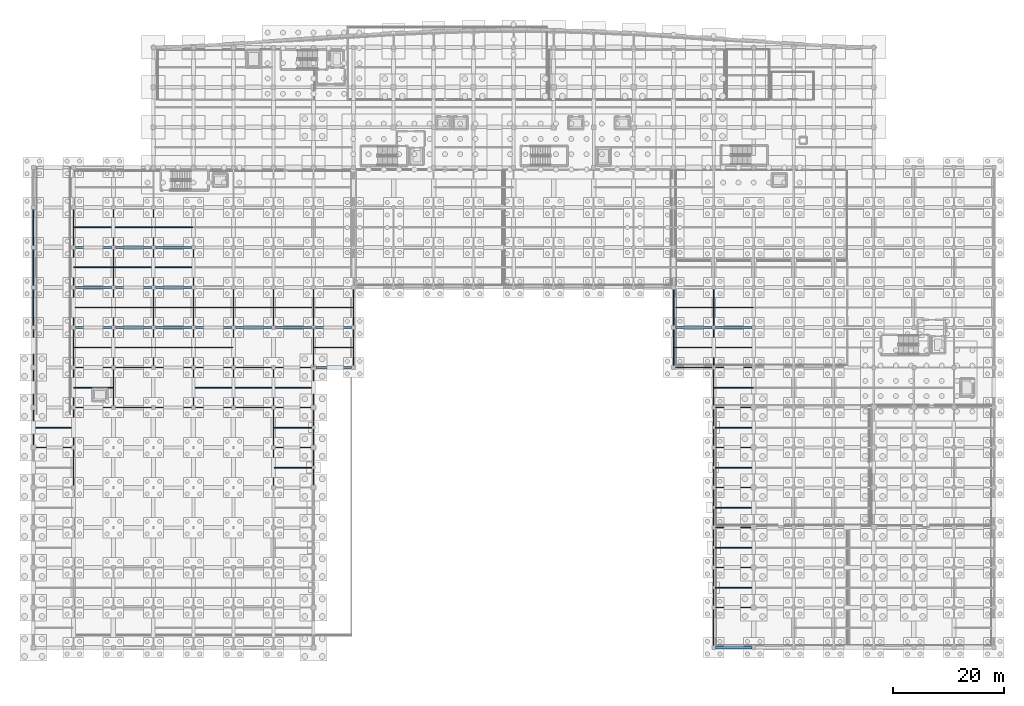
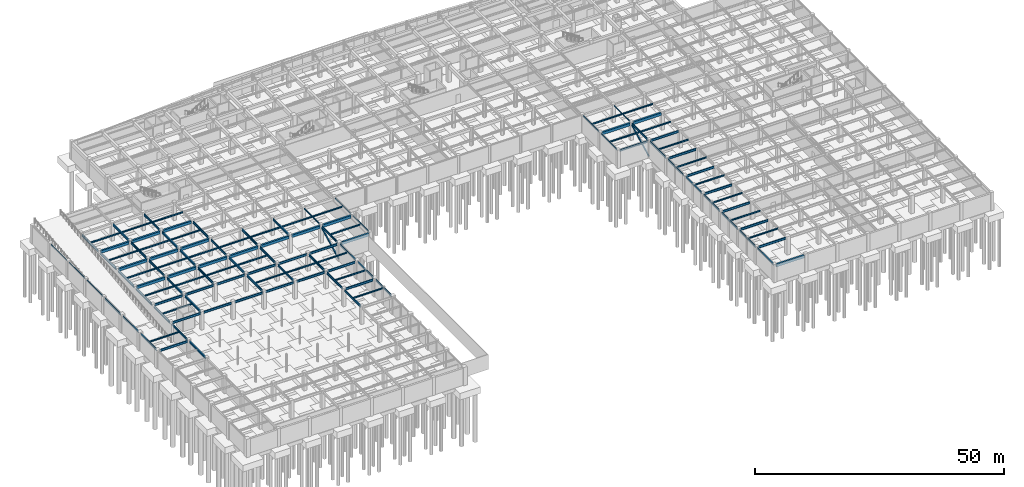
# One storey, part 25 of 48: 125 beams, 2 members.
"""IFC4 building model written with IfcOpenShell, lengths in metres."""

from ifc_helpers import new_model, si_unit, direction, frame, origin, origin_2d, place, context, subcontext, project, spatial, rectangle, hollow_rectangle, i_section, extrude, material, material_profile, profile_set, type_object, element, save


model = new_model("IFC4")

# Units and contexts
model_context = context("Model", 3, precision=1e-05, world=origin(), true_north=direction((0.0, 1.0)))
body_context = subcontext(model_context, "Body", "Model", "MODEL_VIEW")
ifc_project = project(units=[si_unit("LENGTHUNIT", "METRE"), si_unit("AREAUNIT", "SQUARE_METRE"), si_unit("VOLUMEUNIT", "CUBIC_METRE"), si_unit("PLANEANGLEUNIT", "RADIAN"), si_unit("MASSUNIT", "GRAM", prefix="KILO")], contexts=[model_context])

# Site, building, storey
site_placement = place(None, origin())
site = spatial("IfcSite", under=ifc_project, at=site_placement, CompositionType="ELEMENT")
building_placement = place(site_placement, origin())
building = spatial("IfcBuilding", under=site, at=building_placement, Name="Carrowvane Square Congress Hotel", CompositionType="ELEMENT")
storey_placement = place(building_placement, frame((0.0, 0.0, -4.5)))
storey = spatial("IfcBuildingStorey", under=building, at=storey_placement, Name="B01", CompositionType="ELEMENT", Elevation=-4.5)

# Beams
ifc_material_1 = material(Name="Concrete C35/45", Category="concrete")
ifc_material_profile_1 = material_profile(ifc_material_1, rectangle(XDim=0.39990234375, YDim=0.64990234375, at=origin_2d()), Name="RC 400x650")
ifc_profile_set_1 = profile_set([ifc_material_profile_1], Name="Concrete C35/45")
beam_type_1 = type_object("IfcBeamType", Name="BM-RC-400x650", PredefinedType="BEAM", material=ifc_profile_set_1)
for number, where, z_axis, x_axis, name in (
    (1, (19.14990234375, 63.0, 3.875), (1.0, 0.0, 0.0), (0.0, 1.0, 0.0), "L00 girder J/2-3"),
    (2, (26.35009765625, 63.0, 3.875), (1.0, 0.0, 0.0), (0.0, 1.0, 0.0), "L00 girder J/3-4"),
    (3, (33.550048828125, 63.0, 3.875), (1.0, 0.0, 0.0), (0.0, 1.0, 0.0), "L00 girder J/4-5"),
    (4, (40.75, 63.0, 3.875), (1.0, 0.0, 0.0), (0.0, 1.0, 0.0), "L00 girder J/5-6"),
    (5, (47.949951171875, 63.0, 3.875), (1.0, 0.0, 0.0), (0.0, 1.0, 0.0), "L00 girder J/6-7"),
    (6, (55.14990234375, 63.0, 3.875), (1.0, 0.0, 0.0), (0.0, 1.0, 0.0), "L00 girder J/7-8"),
    (7, (62.35009765625, 63.0, 3.875), (1.0, 0.0, 0.0), (0.0, 1.0, 0.0), "L00 girder J/8-9"),
    (8, (127.14990234375, 63.0, 3.875), (1.0, 0.0, 0.0), (0.0, 1.0, 0.0), "L00 girder J/17-18"),
    (9, (134.35009765625, 63.0, 3.875), (1.0, 0.0, 0.0), (0.0, 1.0, 0.0), "L00 girder J/18-19"),
    (10, (19.14990234375, 70.199951171875, 3.875), (1.0, 0.0, 0.0), (0.0, 1.0, 0.0), "L00 girder K/2-3"),
    (11, (26.35009765625, 70.199951171875, 3.875), (1.0, 0.0, 0.0), (0.0, 1.0, 0.0), "L00 girder K/3-4"),
    (12, (33.550048828125, 70.199951171875, 3.875), (1.0, 0.0, 0.0), (0.0, 1.0, 0.0), "L00 girder K/4-5"),
    (13, (19.14990234375, 77.39990234375, 3.875), (1.0, 0.0, 0.0), (0.0, 1.0, 0.0), "L00 girder L/2-3"),
    (14, (26.35009765625, 77.39990234375, 3.875), (1.0, 0.0, 0.0), (0.0, 1.0, 0.0), "L00 girder L/3-4"),
    (15, (33.550048828125, 77.39990234375, 3.875), (1.0, 0.0, 0.0), (0.0, 1.0, 0.0), "L00 girder L/4-5"),
):
    element("IfcBeam", number, at=place(storey_placement, frame(where, z_axis=z_axis, x_axis=x_axis)), inside=storey, type_object=beam_type_1, Name=name, PredefinedType="BEAM", context=body_context, shape_type="SweptSolid", body=[
        extrude(rectangle(XDim=0.39990234375, YDim=0.64990234375, at=origin_2d()), origin(), (0.0, 0.0, 1.0), 6.5),
    ])
ifc_material_2 = material(Name="Steel S355", Category="steel")
ifc_material_profile_2 = material_profile(ifc_material_2, hollow_rectangle(XDim=0.14990234375, YDim=0.25, WallThickness=0.012451171875, at=origin_2d()), Name="RHS 250x150x12.5")
ifc_profile_set_2 = profile_set([ifc_material_profile_2], Name="Steel S355")
beam_type_2 = type_object("IfcBeamType", Name="BM-ST-RHS250", PredefinedType="SPANDREL", material=ifc_profile_set_2)
for number, where, z_axis, x_axis, name in (
    (16, (11.60009765625, 63.35009765625, 4.074951171875), (0.0, 1.0, 0.0), (-1.0, 0.0, 0.0), "L00 girder 1/J-K"),
    (17, (11.60009765625, 70.550048828125, 4.074951171875), (0.0, 1.0, 0.0), (-1.0, 0.0, 0.0), "L00 girder 1/K-L"),
    (18, (11.60009765625, 77.75, 4.074951171875), (0.0, 1.0, 0.0), (-1.0, 0.0, 0.0), "L00 girder 1/L-M"),
    (19, (62.0, 63.35009765625, 4.074951171875), (0.0, 1.0, 0.0), (-1.0, 0.0, 0.0), "L00 girder 8/J-K"),
    (20, (69.199951171875, 56.14990234375, 4.074951171875), (0.0, 1.0, 0.0), (-1.0, 0.0, 0.0), "L00 girder 9/H-J"),
    (21, (69.199951171875, 63.35009765625, 4.074951171875), (0.0, 1.0, 0.0), (-1.0, 0.0, 0.0), "L00 girder 9/J-K"),
    (22, (126.800048828125, 56.14990234375, 4.074951171875), (0.0, 1.0, 0.0), (-1.0, 0.0, 0.0), "L00 girder 17/H-J"),
    (23, (126.800048828125, 63.35009765625, 4.074951171875), (0.0, 1.0, 0.0), (-1.0, 0.0, 0.0), "L00 girder 17/J-K"),
    (24, (134.0, 63.35009765625, 4.074951171875), (0.0, 1.0, 0.0), (-1.0, 0.0, 0.0), "L00 girder 18/J-K"),
):
    element("IfcBeam", number, at=place(storey_placement, frame(where, z_axis=z_axis, x_axis=x_axis)), inside=storey, type_object=beam_type_2, Name=name, PredefinedType="SPANDREL", context=body_context, shape_type="SweptSolid", body=[
        extrude(hollow_rectangle(XDim=0.14990234375, YDim=0.25, WallThickness=0.012451171875, at=origin_2d()), origin(), (0.0, 0.0, 1.0), 6.5),
    ])
ifc_material_3 = material(Name="Steel S355", Category="steel")
ifc_material_profile_3 = material_profile(ifc_material_3, i_section(OverallWidth=0.172119140625, OverallDepth=0.35791015625, WebThickness=0.008056640625, FlangeThickness=0.012939453125, FilletRadius=0.01025390625, at=origin_2d()), Name="UKB 356x171x57")
ifc_profile_set_3 = profile_set([ifc_material_profile_3], Name="Steel S355")
beam_type_3 = type_object("IfcBeamType", Name="BM-ST-UKB356", PredefinedType="JOIST", material=ifc_profile_set_3)
beam_1_placement = place(storey_placement, frame((11.695556640625, 45.0, 4.02099609375), z_axis=(1.0, 0.0, 0.0), x_axis=(0.0, 1.0, 0.0)))
element("IfcBeam", 25, at=beam_1_placement, inside=storey, type_object=beam_type_3, Name="L00 secondary joist 1-2", PredefinedType="JOIST", context=body_context, shape_type="SweptSolid", body=[
    extrude(i_section(OverallWidth=0.172119140625, OverallDepth=0.35791015625, WebThickness=0.008056640625, FlangeThickness=0.012939453125, FilletRadius=0.01025390625, at=origin_2d()), origin(), (0.0, 0.0, 1.0), 6.99951171875),
])
for number, where, z_axis, x_axis, name in (
    (26, (18.905029296875, 52.199951171875, 4.02099609375), (1.0, 0.0, 0.0), (0.0, 1.0, 0.0), "L00 secondary joist 2-3"),
    (27, (18.905029296875, 59.39990234375, 4.02099609375), (1.0, 0.0, 0.0), (0.0, 1.0, 0.0), "L00 secondary joist 2-3"),
    (28, (18.905029296875, 66.60009765625, 4.02099609375), (1.0, 0.0, 0.0), (0.0, 1.0, 0.0), "L00 secondary joist 2-3"),
    (29, (18.905029296875, 73.800048828125, 4.02099609375), (1.0, 0.0, 0.0), (0.0, 1.0, 0.0), "L00 secondary joist 2-3"),
    (30, (18.905029296875, 81.0, 4.02099609375), (1.0, 0.0, 0.0), (0.0, 1.0, 0.0), "L00 secondary joist 2-3"),
    (31, (26.10498046875, 59.39990234375, 4.02099609375), (1.0, 0.0, 0.0), (0.0, 1.0, 0.0), "L00 secondary joist 3-4"),
    (32, (26.10498046875, 66.60009765625, 4.02099609375), (1.0, 0.0, 0.0), (0.0, 1.0, 0.0), "L00 secondary joist 3-4"),
    (33, (26.10498046875, 73.800048828125, 4.02099609375), (1.0, 0.0, 0.0), (0.0, 1.0, 0.0), "L00 secondary joist 3-4"),
    (34, (26.10498046875, 81.0, 4.02099609375), (1.0, 0.0, 0.0), (0.0, 1.0, 0.0), "L00 secondary joist 3-4"),
    (35, (33.304931640625, 59.39990234375, 4.02099609375), (1.0, 0.0, 0.0), (0.0, 1.0, 0.0), "L00 secondary joist 4-5"),
    (36, (33.304931640625, 66.60009765625, 4.02099609375), (1.0, 0.0, 0.0), (0.0, 1.0, 0.0), "L00 secondary joist 4-5"),
    (37, (33.304931640625, 73.800048828125, 4.02099609375), (1.0, 0.0, 0.0), (0.0, 1.0, 0.0), "L00 secondary joist 4-5"),
    (38, (33.304931640625, 81.0, 4.02099609375), (1.0, 0.0, 0.0), (0.0, 1.0, 0.0), "L00 secondary joist 4-5"),
):
    element("IfcBeam", number, at=place(storey_placement, frame(where, z_axis=z_axis, x_axis=x_axis)), inside=storey, type_object=beam_type_3, Name=name, PredefinedType="JOIST", context=body_context, shape_type="SweptSolid", body=[
        extrude(i_section(OverallWidth=0.172119140625, OverallDepth=0.35791015625, WebThickness=0.008056640625, FlangeThickness=0.012939453125, FilletRadius=0.01025390625, at=origin_2d()), origin(), (0.0, 0.0, 1.0), 6.989990234375),
    ])
for number, where, z_axis, x_axis, name in (
    (39, (40.5048828125, 52.199951171875, 4.02099609375), (1.0, 0.0, 0.0), (0.0, 1.0, 0.0), "L00 secondary joist 5-6"),
    (40, (40.5048828125, 59.39990234375, 4.02099609375), (1.0, 0.0, 0.0), (0.0, 1.0, 0.0), "L00 secondary joist 5-6"),
    (41, (40.5048828125, 66.60009765625, 4.02099609375), (1.0, 0.0, 0.0), (0.0, 1.0, 0.0), "L00 secondary joist 5-6"),
):
    element("IfcBeam", number, at=place(storey_placement, frame(where, z_axis=z_axis, x_axis=x_axis)), inside=storey, type_object=beam_type_3, Name=name, PredefinedType="JOIST", context=body_context, shape_type="SweptSolid", body=[
        extrude(i_section(OverallWidth=0.172119140625, OverallDepth=0.35791015625, WebThickness=0.008056640625, FlangeThickness=0.012939453125, FilletRadius=0.01025390625, at=origin_2d()), origin(), (0.0, 0.0, 1.0), 6.990234375),
    ])
for number, where, z_axis, x_axis, name in (
    (42, (47.705078125, 52.199951171875, 4.02099609375), (1.0, 0.0, 0.0), (0.0, 1.0, 0.0), "L00 secondary joist 6-7"),
    (43, (47.705078125, 66.60009765625, 4.02099609375), (1.0, 0.0, 0.0), (0.0, 1.0, 0.0), "L00 secondary joist 6-7"),
):
    element("IfcBeam", number, at=place(storey_placement, frame(where, z_axis=z_axis, x_axis=x_axis)), inside=storey, type_object=beam_type_3, Name=name, PredefinedType="JOIST", context=body_context, shape_type="SweptSolid", body=[
        extrude(i_section(OverallWidth=0.172119140625, OverallDepth=0.35791015625, WebThickness=0.008056640625, FlangeThickness=0.012939453125, FilletRadius=0.01025390625, at=origin_2d()), origin(), (0.0, 0.0, 1.0), 6.989990234375),
    ])
for number, where, z_axis, x_axis, name in (
    (44, (54.905029296875, 37.800048828125, 4.02099609375), (1.0, 0.0, 0.0), (0.0, 1.0, 0.0), "L00 secondary joist 7-8"),
    (45, (54.905029296875, 45.0, 4.02099609375), (1.0, 0.0, 0.0), (0.0, 1.0, 0.0), "L00 secondary joist 7-8"),
    (46, (54.905029296875, 52.199951171875, 4.02099609375), (1.0, 0.0, 0.0), (0.0, 1.0, 0.0), "L00 secondary joist 7-8"),
):
    element("IfcBeam", number, at=place(storey_placement, frame(where, z_axis=z_axis, x_axis=x_axis)), inside=storey, type_object=beam_type_3, Name=name, PredefinedType="JOIST", context=body_context, shape_type="SweptSolid", body=[
        extrude(i_section(OverallWidth=0.172119140625, OverallDepth=0.35791015625, WebThickness=0.008056640625, FlangeThickness=0.012939453125, FilletRadius=0.01025390625, at=origin_2d()), origin(), (0.0, 0.0, 1.0), 6.999267578125),
    ])
beam_2_placement = place(storey_placement, frame((54.905029296875, 66.60009765625, 4.02099609375), z_axis=(1.0, 0.0, 0.0), x_axis=(0.0, 1.0, 0.0)))
element("IfcBeam", 47, at=beam_2_placement, inside=storey, type_object=beam_type_3, Name="L00 secondary joist 7-8", PredefinedType="JOIST", context=body_context, shape_type="SweptSolid", body=[
    extrude(i_section(OverallWidth=0.172119140625, OverallDepth=0.35791015625, WebThickness=0.008056640625, FlangeThickness=0.012939453125, FilletRadius=0.01025390625, at=origin_2d()), origin(), (0.0, 0.0, 1.0), 7.02001953125),
])
beam_3_placement = place(storey_placement, frame((62.095703125, 59.39990234375, 4.02099609375), z_axis=(1.0, 0.0, 0.0), x_axis=(0.0, 1.0, 0.0)))
element("IfcBeam", 48, at=beam_3_placement, inside=storey, type_object=beam_type_3, Name="L00 secondary joist 8-9", PredefinedType="JOIST", context=body_context, shape_type="SweptSolid", body=[
    extrude(i_section(OverallWidth=0.172119140625, OverallDepth=0.35791015625, WebThickness=0.008056640625, FlangeThickness=0.012939453125, FilletRadius=0.01025390625, at=origin_2d()), origin(), (0.0, 0.0, 1.0), 7.029296875),
])
beam_4_placement = place(storey_placement, frame((62.074951171875, 66.60009765625, 4.02099609375), z_axis=(1.0, 0.0, 0.0), x_axis=(0.0, 1.0, 0.0)))
element("IfcBeam", 49, at=beam_4_placement, inside=storey, type_object=beam_type_3, Name="L00 secondary joist 8-9", PredefinedType="JOIST", context=body_context, shape_type="SweptSolid", body=[
    extrude(i_section(OverallWidth=0.172119140625, OverallDepth=0.35791015625, WebThickness=0.008056640625, FlangeThickness=0.012939453125, FilletRadius=0.01025390625, at=origin_2d()), origin(), (0.0, 0.0, 1.0), 7.050048828125),
])
beam_5_placement = place(storey_placement, frame((126.875, 59.39990234375, 4.02099609375), z_axis=(1.0, 0.0, 0.0), x_axis=(0.0, 1.0, 0.0)))
element("IfcBeam", 50, at=beam_5_placement, inside=storey, type_object=beam_type_3, Name="L00 secondary joist 17-18", PredefinedType="JOIST", context=body_context, shape_type="SweptSolid", body=[
    extrude(i_section(OverallWidth=0.172119140625, OverallDepth=0.35791015625, WebThickness=0.008056640625, FlangeThickness=0.012939453125, FilletRadius=0.01025390625, at=origin_2d()), origin(), (0.0, 0.0, 1.0), 7.029296875),
])
beam_6_placement = place(storey_placement, frame((126.875, 66.60009765625, 4.02099609375), z_axis=(1.0, 0.0, 0.0), x_axis=(0.0, 1.0, 0.0)))
element("IfcBeam", 51, at=beam_6_placement, inside=storey, type_object=beam_type_3, Name="L00 secondary joist 17-18", PredefinedType="JOIST", context=body_context, shape_type="SweptSolid", body=[
    extrude(i_section(OverallWidth=0.172119140625, OverallDepth=0.35791015625, WebThickness=0.008056640625, FlangeThickness=0.012939453125, FilletRadius=0.01025390625, at=origin_2d()), origin(), (0.0, 0.0, 1.0), 7.050048828125),
])
for number, where, z_axis, x_axis, name in (
    (52, (134.095703125, 16.199951171875, 4.02099609375), (1.0, 0.0, 0.0), (0.0, 1.0, 0.0), "L00 secondary joist 18-19"),
    (53, (134.095703125, 23.39990234375, 4.02099609375), (1.0, 0.0, 0.0), (0.0, 1.0, 0.0), "L00 secondary joist 18-19"),
    (54, (134.095703125, 30.60009765625, 4.02099609375), (1.0, 0.0, 0.0), (0.0, 1.0, 0.0), "L00 secondary joist 18-19"),
    (55, (134.095703125, 37.800048828125, 4.02099609375), (1.0, 0.0, 0.0), (0.0, 1.0, 0.0), "L00 secondary joist 18-19"),
    (56, (134.095703125, 45.0, 4.02099609375), (1.0, 0.0, 0.0), (0.0, 1.0, 0.0), "L00 secondary joist 18-19"),
    (57, (134.095703125, 52.199951171875, 4.02099609375), (1.0, 0.0, 0.0), (0.0, 1.0, 0.0), "L00 secondary joist 18-19"),
    (58, (134.095703125, 59.39990234375, 4.02099609375), (1.0, 0.0, 0.0), (0.0, 1.0, 0.0), "L00 secondary joist 18-19"),
):
    element("IfcBeam", number, at=place(storey_placement, frame(where, z_axis=z_axis, x_axis=x_axis)), inside=storey, type_object=beam_type_3, Name=name, PredefinedType="JOIST", context=body_context, shape_type="SweptSolid", body=[
        extrude(i_section(OverallWidth=0.172119140625, OverallDepth=0.35791015625, WebThickness=0.008056640625, FlangeThickness=0.012939453125, FilletRadius=0.01025390625, at=origin_2d()), origin(), (0.0, 0.0, 1.0), 6.999267578125),
    ])
beam_7_placement = place(storey_placement, frame((134.074951171875, 66.60009765625, 4.02099609375), z_axis=(1.0, 0.0, 0.0), x_axis=(0.0, 1.0, 0.0)))
element("IfcBeam", 59, at=beam_7_placement, inside=storey, type_object=beam_type_3, Name="L00 secondary joist 18-19", PredefinedType="JOIST", context=body_context, shape_type="SweptSolid", body=[
    extrude(i_section(OverallWidth=0.172119140625, OverallDepth=0.35791015625, WebThickness=0.008056640625, FlangeThickness=0.012939453125, FilletRadius=0.01025390625, at=origin_2d()), origin(), (0.0, 0.0, 1.0), 7.02001953125),
])
ifc_material_4 = material(Name="Steel S355", Category="steel")
ifc_material_profile_4 = material_profile(ifc_material_4, i_section(OverallWidth=0.19140625, OverallDepth=0.4599609375, WebThickness=0.010009765625, FlangeThickness=0.01611328125, FilletRadius=0.01025390625, at=origin_2d()), Name="UKB 457x191x82")
ifc_profile_set_4 = profile_set([ifc_material_profile_4], Name="Steel S355")
beam_type_4 = type_object("IfcBeamType", Name="BM-ST-UKB457", PredefinedType="SPANDREL", material=ifc_profile_set_4)
beam_8_placement = place(storey_placement, frame((127.14990234375, 55.800048828125, 3.969970703125), z_axis=(1.0, 0.0, 0.0), x_axis=(0.0, 1.0, 0.0)))
element("IfcBeam", 60, at=beam_8_placement, inside=storey, type_object=beam_type_4, Name="L00 girder H/17-18", PredefinedType="SPANDREL", context=body_context, shape_type="SweptSolid", body=[
    extrude(i_section(OverallWidth=0.19140625, OverallDepth=0.4599609375, WebThickness=0.010009765625, FlangeThickness=0.01611328125, FilletRadius=0.01025390625, at=origin_2d()), origin(), (0.0, 0.0, 1.0), 6.5),
])
beam_9_placement = place(storey_placement, frame((11.60009765625, 41.85009765625, 3.969970703125), z_axis=(0.0, 1.0, 0.0), x_axis=(-1.0, 0.0, 0.0)))
element("IfcBeam", 61, at=beam_9_placement, inside=storey, type_object=beam_type_4, Name="L00 girder 1/F-G", PredefinedType="SPANDREL", context=body_context, shape_type="SweptSolid", body=[
    extrude(i_section(OverallWidth=0.19140625, OverallDepth=0.4599609375, WebThickness=0.010009765625, FlangeThickness=0.01611328125, FilletRadius=0.01025390625, at=origin_2d()), origin(), (0.0, 0.0, 1.0), 6.2998046875),
])
beam_10_placement = place(storey_placement, frame((11.60009765625, 49.050048828125, 3.969970703125), z_axis=(0.0, 1.0, 0.0), x_axis=(-1.0, 0.0, 0.0)))
element("IfcBeam", 62, at=beam_10_placement, inside=storey, type_object=beam_type_4, Name="L00 girder 1/G-H", PredefinedType="SPANDREL", context=body_context, shape_type="SweptSolid", body=[
    extrude(i_section(OverallWidth=0.19140625, OverallDepth=0.4599609375, WebThickness=0.010009765625, FlangeThickness=0.01611328125, FilletRadius=0.01025390625, at=origin_2d()), origin(), (0.0, 0.0, 1.0), 6.300048828125),
])
beam_11_placement = place(storey_placement, frame((11.60009765625, 56.25, 3.969970703125), z_axis=(0.0, 1.0, 0.0), x_axis=(-1.0, 0.0, 0.0)))
element("IfcBeam", 63, at=beam_11_placement, inside=storey, type_object=beam_type_4, Name="L00 girder 1/H-J", PredefinedType="SPANDREL", context=body_context, shape_type="SweptSolid", body=[
    extrude(i_section(OverallWidth=0.19140625, OverallDepth=0.4599609375, WebThickness=0.010009765625, FlangeThickness=0.01611328125, FilletRadius=0.01025390625, at=origin_2d()), origin(), (0.0, 0.0, 1.0), 6.39990234375),
])
beam_12_placement = place(storey_placement, frame((62.0, 34.64990234375, 3.969970703125), z_axis=(0.0, 1.0, 0.0), x_axis=(-1.0, 0.0, 0.0)))
element("IfcBeam", 64, at=beam_12_placement, inside=storey, type_object=beam_type_4, Name="L00 girder 8/E-F", PredefinedType="SPANDREL", context=body_context, shape_type="SweptSolid", body=[
    extrude(i_section(OverallWidth=0.19140625, OverallDepth=0.4599609375, WebThickness=0.010009765625, FlangeThickness=0.01611328125, FilletRadius=0.01025390625, at=origin_2d()), origin(), (0.0, 0.0, 1.0), 6.300048828125),
])
beam_13_placement = place(storey_placement, frame((62.0, 41.85009765625, 3.969970703125), z_axis=(0.0, 1.0, 0.0), x_axis=(-1.0, 0.0, 0.0)))
element("IfcBeam", 65, at=beam_13_placement, inside=storey, type_object=beam_type_4, Name="L00 girder 8/F-G", PredefinedType="SPANDREL", context=body_context, shape_type="SweptSolid", body=[
    extrude(i_section(OverallWidth=0.19140625, OverallDepth=0.4599609375, WebThickness=0.010009765625, FlangeThickness=0.01611328125, FilletRadius=0.01025390625, at=origin_2d()), origin(), (0.0, 0.0, 1.0), 6.2998046875),
])
beam_14_placement = place(storey_placement, frame((62.0, 49.050048828125, 3.969970703125), z_axis=(0.0, 1.0, 0.0), x_axis=(-1.0, 0.0, 0.0)))
element("IfcBeam", 66, at=beam_14_placement, inside=storey, type_object=beam_type_4, Name="L00 girder 8/G-H", PredefinedType="SPANDREL", context=body_context, shape_type="SweptSolid", body=[
    extrude(i_section(OverallWidth=0.19140625, OverallDepth=0.4599609375, WebThickness=0.010009765625, FlangeThickness=0.01611328125, FilletRadius=0.01025390625, at=origin_2d()), origin(), (0.0, 0.0, 1.0), 6.300048828125),
])
beam_15_placement = place(storey_placement, frame((62.0, 56.25, 3.969970703125), z_axis=(0.0, 1.0, 0.0), x_axis=(-1.0, 0.0, 0.0)))
element("IfcBeam", 67, at=beam_15_placement, inside=storey, type_object=beam_type_4, Name="L00 girder 8/H-J", PredefinedType="SPANDREL", context=body_context, shape_type="SweptSolid", body=[
    extrude(i_section(OverallWidth=0.19140625, OverallDepth=0.4599609375, WebThickness=0.010009765625, FlangeThickness=0.01611328125, FilletRadius=0.01025390625, at=origin_2d()), origin(), (0.0, 0.0, 1.0), 6.39990234375),
])
for number, where, z_axis, x_axis, name in (
    (68, (134.0, 5.75, 3.969970703125), (0.0, 1.0, 0.0), (-1.0, 0.0, 0.0), "L00 girder 18/A-B"),
    (69, (134.0, 12.949951171875, 3.969970703125), (0.0, 1.0, 0.0), (-1.0, 0.0, 0.0), "L00 girder 18/B-C"),
    (70, (134.0, 20.14990234375, 3.969970703125), (0.0, 1.0, 0.0), (-1.0, 0.0, 0.0), "L00 girder 18/C-D"),
    (71, (134.0, 27.35009765625, 3.969970703125), (0.0, 1.0, 0.0), (-1.0, 0.0, 0.0), "L00 girder 18/D-E"),
    (72, (134.0, 34.550048828125, 3.969970703125), (0.0, 1.0, 0.0), (-1.0, 0.0, 0.0), "L00 girder 18/E-F"),
    (73, (134.0, 41.75, 3.969970703125), (0.0, 1.0, 0.0), (-1.0, 0.0, 0.0), "L00 girder 18/F-G"),
    (74, (134.0, 48.949951171875, 3.969970703125), (0.0, 1.0, 0.0), (-1.0, 0.0, 0.0), "L00 girder 18/G-H"),
    (75, (134.0, 56.14990234375, 3.969970703125), (0.0, 1.0, 0.0), (-1.0, 0.0, 0.0), "L00 girder 18/H-J"),
):
    element("IfcBeam", number, at=place(storey_placement, frame(where, z_axis=z_axis, x_axis=x_axis)), inside=storey, type_object=beam_type_4, Name=name, PredefinedType="SPANDREL", context=body_context, shape_type="SweptSolid", body=[
        extrude(i_section(OverallWidth=0.19140625, OverallDepth=0.4599609375, WebThickness=0.010009765625, FlangeThickness=0.01611328125, FilletRadius=0.01025390625, at=origin_2d()), origin(), (0.0, 0.0, 1.0), 6.5),
    ])
ifc_material_5 = material(Name="Steel S355", Category="steel")
ifc_material_profile_5 = material_profile(ifc_material_5, i_section(OverallWidth=0.2099609375, OverallDepth=0.53662109375, WebThickness=0.0107421875, FlangeThickness=0.017333984375, FilletRadius=0.0126953125, at=origin_2d()), Name="UKB 533x210x101")
ifc_profile_set_5 = profile_set([ifc_material_profile_5], Name="Steel S355")
beam_type_5 = type_object("IfcBeamType", Name="BM-ST-UKB533", PredefinedType="USERDEFINED", material=ifc_profile_set_5)
for number, where, z_axis, x_axis, name in (
    (76, (134.35009765625, 12.60009765625, 3.931640625), (1.0, 0.0, 0.0), (0.0, 1.0, 0.0), "L00 girder B/18-19"),
    (77, (134.35009765625, 19.800048828125, 3.931640625), (1.0, 0.0, 0.0), (0.0, 1.0, 0.0), "L00 girder C/18-19"),
    (78, (134.35009765625, 27.0, 3.931640625), (1.0, 0.0, 0.0), (0.0, 1.0, 0.0), "L00 girder D/18-19"),
    (79, (134.35009765625, 34.199951171875, 3.931640625), (1.0, 0.0, 0.0), (0.0, 1.0, 0.0), "L00 girder E/18-19"),
    (80, (12.050048828125, 41.39990234375, 3.931640625), (1.0, 0.0, 0.0), (0.0, 1.0, 0.0), "L00 girder F/1-2"),
):
    element("IfcBeam", number, at=place(storey_placement, frame(where, z_axis=z_axis, x_axis=x_axis)), inside=storey, type_object=beam_type_5, Name=name, ObjectType="GIRDER", PredefinedType="USERDEFINED", context=body_context, shape_type="SweptSolid", body=[
        extrude(i_section(OverallWidth=0.2099609375, OverallDepth=0.53662109375, WebThickness=0.0107421875, FlangeThickness=0.017333984375, FilletRadius=0.0126953125, at=origin_2d()), origin(), (0.0, 0.0, 1.0), 6.39990234375),
    ])
beam_16_placement = place(storey_placement, frame((55.14990234375, 41.39990234375, 3.931640625), z_axis=(1.0, 0.0, 0.0), x_axis=(0.0, 1.0, 0.0)))
element("IfcBeam", 81, at=beam_16_placement, inside=storey, type_object=beam_type_5, Name="L00 girder F/7-8", ObjectType="GIRDER", PredefinedType="USERDEFINED", context=body_context, shape_type="SweptSolid", body=[
    extrude(i_section(OverallWidth=0.2099609375, OverallDepth=0.53662109375, WebThickness=0.0107421875, FlangeThickness=0.017333984375, FilletRadius=0.0126953125, at=origin_2d()), origin(), (0.0, 0.0, 1.0), 6.400146484375),
])
beam_17_placement = place(storey_placement, frame((134.35009765625, 41.39990234375, 3.931640625), z_axis=(1.0, 0.0, 0.0), x_axis=(0.0, 1.0, 0.0)))
element("IfcBeam", 82, at=beam_17_placement, inside=storey, type_object=beam_type_5, Name="L00 girder F/18-19", ObjectType="GIRDER", PredefinedType="USERDEFINED", context=body_context, shape_type="SweptSolid", body=[
    extrude(i_section(OverallWidth=0.2099609375, OverallDepth=0.53662109375, WebThickness=0.0107421875, FlangeThickness=0.017333984375, FilletRadius=0.0126953125, at=origin_2d()), origin(), (0.0, 0.0, 1.0), 6.39990234375),
])
for number, where, z_axis, x_axis, name in (
    (83, (19.14990234375, 48.60009765625, 3.931640625), (1.0, 0.0, 0.0), (0.0, 1.0, 0.0), "L00 girder G/2-3"),
    (84, (26.35009765625, 48.60009765625, 3.931640625), (1.0, 0.0, 0.0), (0.0, 1.0, 0.0), "L00 girder G/3-4"),
    (85, (33.550048828125, 48.60009765625, 3.931640625), (1.0, 0.0, 0.0), (0.0, 1.0, 0.0), "L00 girder G/4-5"),
    (86, (40.75, 48.60009765625, 3.931640625), (1.0, 0.0, 0.0), (0.0, 1.0, 0.0), "L00 girder G/5-6"),
    (87, (47.949951171875, 48.60009765625, 3.931640625), (1.0, 0.0, 0.0), (0.0, 1.0, 0.0), "L00 girder G/6-7"),
):
    element("IfcBeam", number, at=place(storey_placement, frame(where, z_axis=z_axis, x_axis=x_axis)), inside=storey, type_object=beam_type_5, Name=name, ObjectType="GIRDER", PredefinedType="USERDEFINED", context=body_context, shape_type="SweptSolid", body=[
        extrude(i_section(OverallWidth=0.2099609375, OverallDepth=0.53662109375, WebThickness=0.0107421875, FlangeThickness=0.017333984375, FilletRadius=0.0126953125, at=origin_2d()), origin(), (0.0, 0.0, 1.0), 6.5),
    ])
beam_18_placement = place(storey_placement, frame((55.14990234375, 48.60009765625, 3.931640625), z_axis=(1.0, 0.0, 0.0), x_axis=(0.0, 1.0, 0.0)))
element("IfcBeam", 88, at=beam_18_placement, inside=storey, type_object=beam_type_5, Name="L00 girder G/7-8", ObjectType="GIRDER", PredefinedType="USERDEFINED", context=body_context, shape_type="SweptSolid", body=[
    extrude(i_section(OverallWidth=0.2099609375, OverallDepth=0.53662109375, WebThickness=0.0107421875, FlangeThickness=0.017333984375, FilletRadius=0.0126953125, at=origin_2d()), origin(), (0.0, 0.0, 1.0), 6.400146484375),
])
beam_19_placement = place(storey_placement, frame((134.35009765625, 48.60009765625, 3.931640625), z_axis=(1.0, 0.0, 0.0), x_axis=(0.0, 1.0, 0.0)))
element("IfcBeam", 89, at=beam_19_placement, inside=storey, type_object=beam_type_5, Name="L00 girder G/18-19", ObjectType="GIRDER", PredefinedType="USERDEFINED", context=body_context, shape_type="SweptSolid", body=[
    extrude(i_section(OverallWidth=0.2099609375, OverallDepth=0.53662109375, WebThickness=0.0107421875, FlangeThickness=0.017333984375, FilletRadius=0.0126953125, at=origin_2d()), origin(), (0.0, 0.0, 1.0), 6.39990234375),
])
for number, where, z_axis, x_axis, name in (
    (90, (19.14990234375, 55.800048828125, 3.931640625), (1.0, 0.0, 0.0), (0.0, 1.0, 0.0), "L00 girder H/2-3"),
    (91, (26.35009765625, 55.800048828125, 3.931640625), (1.0, 0.0, 0.0), (0.0, 1.0, 0.0), "L00 girder H/3-4"),
    (92, (33.550048828125, 55.800048828125, 3.931640625), (1.0, 0.0, 0.0), (0.0, 1.0, 0.0), "L00 girder H/4-5"),
    (93, (40.75, 55.800048828125, 3.931640625), (1.0, 0.0, 0.0), (0.0, 1.0, 0.0), "L00 girder H/5-6"),
    (94, (47.949951171875, 55.800048828125, 3.931640625), (1.0, 0.0, 0.0), (0.0, 1.0, 0.0), "L00 girder H/6-7"),
):
    element("IfcBeam", number, at=place(storey_placement, frame(where, z_axis=z_axis, x_axis=x_axis)), inside=storey, type_object=beam_type_5, Name=name, ObjectType="GIRDER", PredefinedType="USERDEFINED", context=body_context, shape_type="SweptSolid", body=[
        extrude(i_section(OverallWidth=0.2099609375, OverallDepth=0.53662109375, WebThickness=0.0107421875, FlangeThickness=0.017333984375, FilletRadius=0.0126953125, at=origin_2d()), origin(), (0.0, 0.0, 1.0), 6.5),
    ])
beam_20_placement = place(storey_placement, frame((55.14990234375, 55.800048828125, 3.931640625), z_axis=(1.0, 0.0, 0.0), x_axis=(0.0, 1.0, 0.0)))
element("IfcBeam", 95, at=beam_20_placement, inside=storey, type_object=beam_type_5, Name="L00 girder H/7-8", ObjectType="GIRDER", PredefinedType="USERDEFINED", context=body_context, shape_type="SweptSolid", body=[
    extrude(i_section(OverallWidth=0.2099609375, OverallDepth=0.53662109375, WebThickness=0.0107421875, FlangeThickness=0.017333984375, FilletRadius=0.0126953125, at=origin_2d()), origin(), (0.0, 0.0, 1.0), 6.400146484375),
])
for number, where, z_axis, x_axis, name in (
    (96, (134.35009765625, 55.800048828125, 3.931640625), (1.0, 0.0, 0.0), (0.0, 1.0, 0.0), "L00 girder H/18-19"),
    (97, (18.800048828125, 34.550048828125, 3.931640625), (0.0, 1.0, 0.0), (-1.0, 0.0, 0.0), "L00 girder 2/E-F"),
    (98, (18.800048828125, 41.75, 3.931640625), (0.0, 1.0, 0.0), (-1.0, 0.0, 0.0), "L00 girder 2/F-G"),
    (99, (18.800048828125, 48.949951171875, 3.931640625), (0.0, 1.0, 0.0), (-1.0, 0.0, 0.0), "L00 girder 2/G-H"),
    (100, (18.800048828125, 56.14990234375, 3.931640625), (0.0, 1.0, 0.0), (-1.0, 0.0, 0.0), "L00 girder 2/H-J"),
    (101, (18.800048828125, 63.35009765625, 3.931640625), (0.0, 1.0, 0.0), (-1.0, 0.0, 0.0), "L00 girder 2/J-K"),
    (102, (18.800048828125, 70.550048828125, 3.931640625), (0.0, 1.0, 0.0), (-1.0, 0.0, 0.0), "L00 girder 2/K-L"),
    (103, (18.800048828125, 77.75, 3.931640625), (0.0, 1.0, 0.0), (-1.0, 0.0, 0.0), "L00 girder 2/L-M"),
    (104, (26.0, 48.949951171875, 3.931640625), (0.0, 1.0, 0.0), (-1.0, 0.0, 0.0), "L00 girder 3/G-H"),
    (105, (26.0, 56.14990234375, 3.931640625), (0.0, 1.0, 0.0), (-1.0, 0.0, 0.0), "L00 girder 3/H-J"),
    (106, (26.0, 63.35009765625, 3.931640625), (0.0, 1.0, 0.0), (-1.0, 0.0, 0.0), "L00 girder 3/J-K"),
    (107, (26.0, 70.550048828125, 3.931640625), (0.0, 1.0, 0.0), (-1.0, 0.0, 0.0), "L00 girder 3/K-L"),
    (108, (26.0, 77.75, 3.931640625), (0.0, 1.0, 0.0), (-1.0, 0.0, 0.0), "L00 girder 3/L-M"),
    (109, (33.199951171875, 56.14990234375, 3.931640625), (0.0, 1.0, 0.0), (-1.0, 0.0, 0.0), "L00 girder 4/H-J"),
    (110, (33.199951171875, 63.35009765625, 3.931640625), (0.0, 1.0, 0.0), (-1.0, 0.0, 0.0), "L00 girder 4/J-K"),
    (111, (33.199951171875, 70.550048828125, 3.931640625), (0.0, 1.0, 0.0), (-1.0, 0.0, 0.0), "L00 girder 4/K-L"),
    (112, (33.199951171875, 77.75, 3.931640625), (0.0, 1.0, 0.0), (-1.0, 0.0, 0.0), "L00 girder 4/L-M"),
    (113, (40.39990234375, 48.949951171875, 3.931640625), (0.0, 1.0, 0.0), (-1.0, 0.0, 0.0), "L00 girder 5/G-H"),
    (114, (40.39990234375, 56.14990234375, 3.931640625), (0.0, 1.0, 0.0), (-1.0, 0.0, 0.0), "L00 girder 5/H-J"),
    (115, (40.39990234375, 63.35009765625, 3.931640625), (0.0, 1.0, 0.0), (-1.0, 0.0, 0.0), "L00 girder 5/J-K"),
    (116, (40.39990234375, 70.550048828125, 3.931640625), (0.0, 1.0, 0.0), (-1.0, 0.0, 0.0), "L00 girder 5/K-L"),
    (117, (47.60009765625, 48.949951171875, 3.931640625), (0.0, 1.0, 0.0), (-1.0, 0.0, 0.0), "L00 girder 6/G-H"),
    (118, (47.60009765625, 56.14990234375, 3.931640625), (0.0, 1.0, 0.0), (-1.0, 0.0, 0.0), "L00 girder 6/H-J"),
    (119, (47.60009765625, 63.35009765625, 3.931640625), (0.0, 1.0, 0.0), (-1.0, 0.0, 0.0), "L00 girder 6/J-K"),
    (120, (54.800048828125, 34.550048828125, 3.931640625), (0.0, 1.0, 0.0), (-1.0, 0.0, 0.0), "L00 girder 7/E-F"),
    (121, (54.800048828125, 41.75, 3.931640625), (0.0, 1.0, 0.0), (-1.0, 0.0, 0.0), "L00 girder 7/F-G"),
    (122, (54.800048828125, 48.949951171875, 3.931640625), (0.0, 1.0, 0.0), (-1.0, 0.0, 0.0), "L00 girder 7/G-H"),
    (123, (54.800048828125, 63.35009765625, 3.931640625), (0.0, 1.0, 0.0), (-1.0, 0.0, 0.0), "L00 girder 7/J-K"),
):
    element("IfcBeam", number, at=place(storey_placement, frame(where, z_axis=z_axis, x_axis=x_axis)), inside=storey, type_object=beam_type_5, Name=name, ObjectType="GIRDER", PredefinedType="USERDEFINED", context=body_context, shape_type="SweptSolid", body=[
        extrude(i_section(OverallWidth=0.2099609375, OverallDepth=0.53662109375, WebThickness=0.0107421875, FlangeThickness=0.017333984375, FilletRadius=0.0126953125, at=origin_2d()), origin(), (0.0, 0.0, 1.0), 6.5),
    ])

# Members
ifc_material_6 = material(Name="Steel S355", Category="steel")
ifc_material_profile_6 = material_profile(ifc_material_6, hollow_rectangle(XDim=0.25, YDim=0.25, WallThickness=0.01611328125, at=origin_2d()), Name="SHS 250x250x16")
ifc_profile_set_6 = profile_set([ifc_material_profile_6], Name="Steel S355")
member_type = type_object("IfcMemberType", Name="MEM-BR-SHS250", PredefinedType="BRACE", material=ifc_profile_set_6)
for number, where, z_axis, x_axis, name in (
    (124, (62.0, 55.919921875, 0.14990234375), (0.0, 0.888211505291, 0.459434785219), (-1.0, 0.0, 0.0), "B01 vertical lateral brace 1"),
    (125, (134.0, 55.919921875, 0.14990234375), (0.0, 0.888211505291, 0.459434785219), (-1.0, 0.0, 0.0), "B01 vertical lateral brace 2"),
):
    element("IfcMember", number, at=place(storey_placement, frame(where, z_axis=z_axis, x_axis=x_axis)), inside=storey, type_object=member_type, Name=name, PredefinedType="BRACE", context=body_context, shape_type="SweptSolid", body=[
        extrude(hollow_rectangle(XDim=0.25, YDim=0.25, WallThickness=0.01611328125, at=origin_2d()), origin(), (0.0, 0.0, 1.0), 7.8359375),
    ])

# Beams
ifc_material_7 = material(Name="Concrete C35/45", Category="concrete")
ifc_material_profile_7 = material_profile(ifc_material_7, rectangle(XDim=0.39990234375, YDim=0.64990234375, at=origin_2d()), Name="RC 400x650")
ifc_profile_set_7 = profile_set([ifc_material_profile_7], Name="Concrete C35/45")
beam_type_6 = type_object("IfcBeamType", Name="SP-RC-400x650", PredefinedType="SPANDREL", material=ifc_profile_set_7)
beam_21_placement = place(storey_placement, frame((134.35009765625, 5.39990234375, 3.875), z_axis=(1.0, 0.0, 0.0), x_axis=(0.0, 1.0, 0.0)))
element("IfcBeam", 126, at=beam_21_placement, inside=storey, type_object=beam_type_6, Name="L00 girder A/18-19", PredefinedType="SPANDREL", context=body_context, shape_type="SweptSolid", body=[
    extrude(rectangle(XDim=0.39990234375, YDim=0.64990234375, at=origin_2d()), origin(), (0.0, 0.0, 1.0), 6.5),
])
beam_22_placement = place(storey_placement, frame((62.449951171875, 55.800048828125, 3.875), z_axis=(1.0, 0.0, 0.0), x_axis=(0.0, 1.0, 0.0)))
element("IfcBeam", 127, at=beam_22_placement, inside=storey, type_object=beam_type_6, Name="L00 girder H/8-9", PredefinedType="SPANDREL", context=body_context, shape_type="SweptSolid", body=[
    extrude(rectangle(XDim=0.39990234375, YDim=0.64990234375, at=origin_2d()), origin(), (0.0, 0.0, 1.0), 6.400146484375),
])

save(model, "model.ifc")
